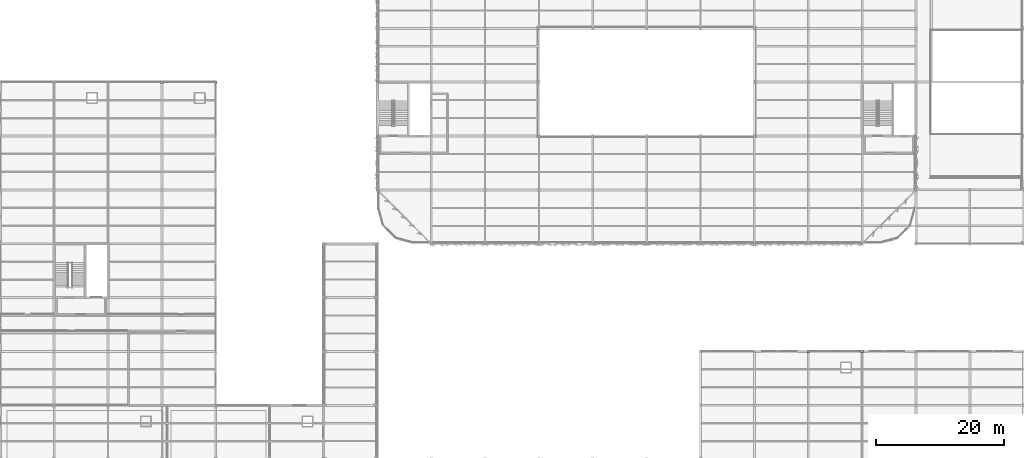
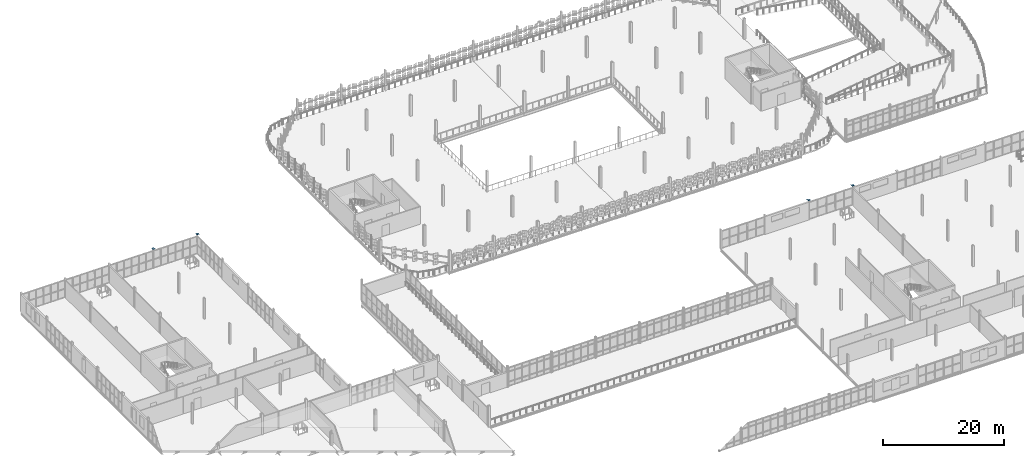
# One storey, part 129 of 163: 4 plates.
"""IFC4 building model written with IfcOpenShell, lengths in metres."""

from ifc_helpers import new_model, si_unit, direction, frame, origin, origin_2d, place, context, subcontext, project, spatial, rectangle, extrude, material, layer, layer_set, type_object, element, save


model = new_model("IFC4")

# Units and contexts
model_context = context("Model", 3, precision=1e-05, world=origin(), true_north=direction((0.0, 1.0)))
body_context = subcontext(model_context, "Body", "Model", "MODEL_VIEW")
ifc_project = project(units=[si_unit("LENGTHUNIT", "METRE"), si_unit("AREAUNIT", "SQUARE_METRE"), si_unit("VOLUMEUNIT", "CUBIC_METRE"), si_unit("PLANEANGLEUNIT", "RADIAN"), si_unit("MASSUNIT", "GRAM", prefix="KILO")], contexts=[model_context])

# Site, building, storey
site_placement = place(None, origin())
site = spatial("IfcSite", under=ifc_project, at=site_placement, CompositionType="ELEMENT")
building_placement = place(site_placement, origin())
building = spatial("IfcBuilding", under=site, at=building_placement, Name="Qalvenar Corner Mobility Hub", CompositionType="ELEMENT")
storey_placement = place(building_placement, frame((0.0, 0.0, 4.800048828125)))
storey = spatial("IfcBuildingStorey", under=building, at=storey_placement, Name="L01", CompositionType="ELEMENT", Elevation=4.800048828125)

# Plates
ifc_material = material(Name="Steel S355", Category="steel")
ifc_layer = layer(ifc_material, 0.02490234375)
ifc_layer_set = layer_set([ifc_layer], Name="Steel S355")
plate_type = type_object("IfcPlateType", Name="PLT-CAP25", PredefinedType="SHEET", material=ifc_layer_set)
for number, where, z_axis, x_axis, name in (
    (1, (25.199951171875, 92.39990234375, 3.9580078125), (0.0, 0.0, 1.0), (1.0, 0.0, 0.0), "Hollow Column Top Cap Plate L01-G4-11"),
    (2, (33.60009765625, 92.39990234375, 3.9580078125), (0.0, 0.0, 1.0), (1.0, 0.0, 0.0), "Hollow Column Top Cap Plate L01-G5-11"),
    (3, (126.0, 50.39990234375, 3.9580078125), (0.0, 0.0, 1.0), (1.0, 0.0, 0.0), "Hollow Column Top Cap Plate L01-G16-6"),
    (4, (134.39990234375, 50.39990234375, 3.9580078125), (0.0, 0.0, 1.0), (1.0, 0.0, 0.0), "Hollow Column Top Cap Plate L01-G17-6"),
):
    element("IfcPlate", number, at=place(storey_placement, frame(where, z_axis=z_axis, x_axis=x_axis)), inside=storey, type_object=plate_type, Name=name, PredefinedType="SHEET", context=body_context, shape_type="SweptSolid", body=[
        extrude(rectangle(XDim=0.419921875, YDim=0.419921875, at=origin_2d()), origin(), (0.0, 0.0, 1.0), 0.02490234375),
    ])

save(model, "model.ifc")
